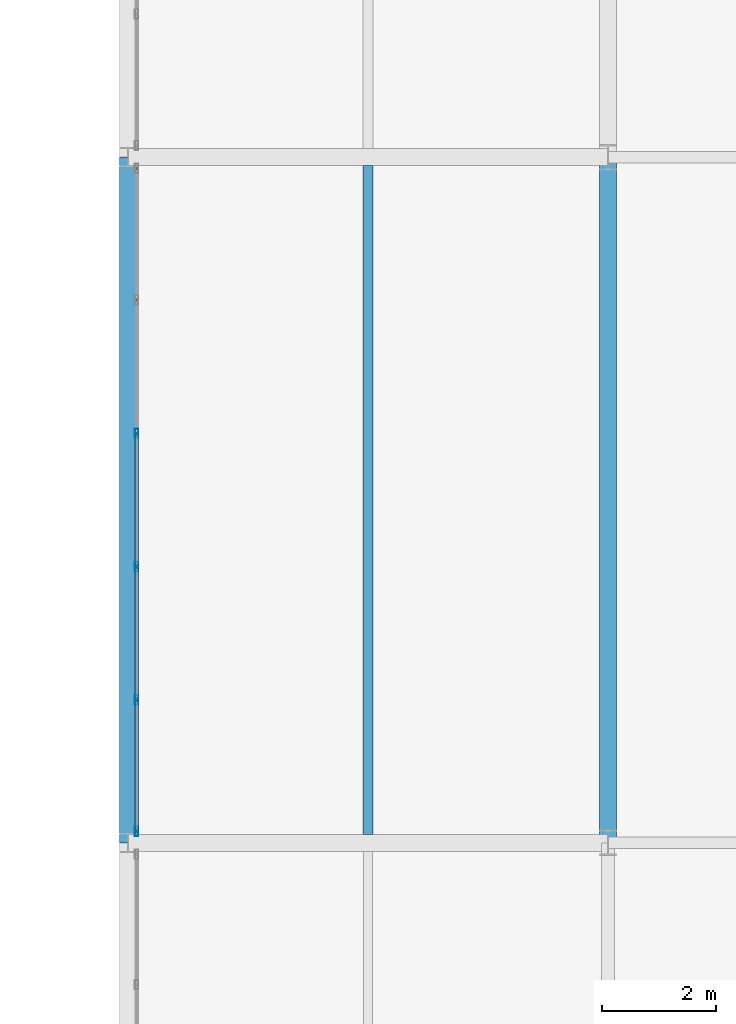
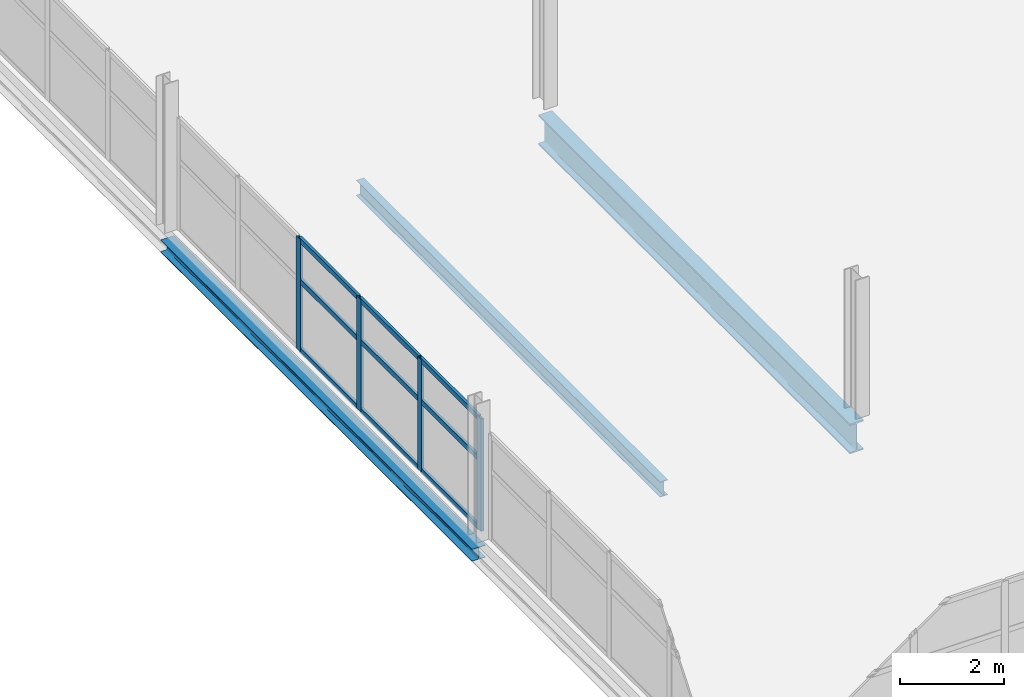
# One storey, part 27 of 103: 13 members, 3 beams, 1 element without a shape of its own.
"""IFC4 building model written with IfcOpenShell, lengths in metres."""

import ifcopenshell
import ifcopenshell.guid

model = None  # the IFC model being written
_history = None  # IfcOwnerHistory: only IFC2X3 demands one
_inside = {}  # id of a spatial element -> (the spatial element, [elements in it])
_under = {}  # id of a project, library or spatial element -> (it, [spatial elements below it])
_declared = {}  # id of a project -> (the project, [libraries it declares])
_typed = {}  # id of a type object -> (the type object, [elements of that type])
_made_of = {}  # id of a material, layer set ... -> (it, [elements and type objects made of it])


def new_model(schema):
    """Start an empty IFC model of exactly this schema.

    Asked for "IFC4X3", IfcOpenShell would pick the latest addendum, in which some entities
    have other attributes; the version numbers below select the first issue.
    IFC2X3 requires an IfcOwnerHistory on every rooted entity: one is made here for all.
    """
    global model, _history
    if schema == "IFC4X3":
        model = ifcopenshell.file(schema_version=(4, 3, 0, 0))
    else:
        model = ifcopenshell.file(schema=schema)
    _inside.clear()
    _under.clear()
    _declared.clear()
    _typed.clear()
    _made_of.clear()
    _history = None
    if model.schema == "IFC2X3":
        org = make("IfcOrganization", Name="unknown")
        user = make(
            "IfcPersonAndOrganization",
            ThePerson=make("IfcPerson", FamilyName="unknown"),
            TheOrganization=org,
        )
        app = make(
            "IfcApplication",
            ApplicationDeveloper=org,
            Version="unknown",
            ApplicationFullName="unknown",
            ApplicationIdentifier="unknown",
        )
        _history = make(
            "IfcOwnerHistory",
            OwningUser=user,
            OwningApplication=app,
            ChangeAction="ADDED",
            CreationDate=0,
        )
    return model


def make(cls, **values):
    """One entity of the class cls with the attributes given. An attribute that is None is left unset."""
    return model.create_entity(
        cls, **{name: value for name, value in values.items() if value is not None}
    )


def rooted(cls, **values):
    """An entity with a GlobalId (a new one), such as an element, a storey or a relation."""
    return make(cls, GlobalId=ifcopenshell.guid.new(), OwnerHistory=_history, **values)


def si_unit(unit_type, name, prefix=None):
    """IfcSIUnit, for example si_unit("LENGTHUNIT", "METRE", prefix="MILLI")."""
    return make("IfcSIUnit", UnitType=unit_type, Prefix=prefix, Name=name)


def assignment(units):
    """IfcUnitAssignment: the units of a project."""
    return None if units is None else make("IfcUnitAssignment", Units=units)


def point(xyz):
    """IfcCartesianPoint."""
    return None if xyz is None else make("IfcCartesianPoint", Coordinates=xyz)


def direction(xyz):
    """IfcDirection."""
    return None if xyz is None else make("IfcDirection", DirectionRatios=xyz)


def frame(location, z_axis=None, x_axis=None):
    """IfcAxis2Placement3D, a coordinate frame: its origin and axes. An axis left out is left unset."""
    return make(
        "IfcAxis2Placement3D",
        Location=point(location),
        Axis=direction(z_axis),
        RefDirection=direction(x_axis),
    )


def frame_2d(location, x_axis=None):
    """IfcAxis2Placement2D, a coordinate frame in the plane: its origin and x axis."""
    return make(
        "IfcAxis2Placement2D", Location=point(location), RefDirection=direction(x_axis)
    )


def origin():
    """The frame at (0, 0, 0) with its axes left unset."""
    return frame((0.0, 0.0, 0.0))


def origin_2d():
    """The frame at (0, 0) in the plane with its x axis left unset."""
    return frame_2d((0.0, 0.0))


def place(relative_to, where):
    """IfcLocalPlacement: puts the frame where relative to a parent placement (None: the world)."""
    return make(
        "IfcLocalPlacement", PlacementRelTo=relative_to, RelativePlacement=where
    )


def context(
    kind, dimensions, precision=None, world=None, true_north=None, identifier=None
):
    """IfcGeometricRepresentationContext, for example the 3D "Model" context."""
    return make(
        "IfcGeometricRepresentationContext",
        ContextIdentifier=identifier,
        ContextType=kind,
        CoordinateSpaceDimension=dimensions,
        Precision=precision,
        WorldCoordinateSystem=world,
        TrueNorth=true_north,
    )


def subcontext(parent, identifier, kind, view, scale=None):
    """IfcGeometricRepresentationSubContext, for example "Body" below "Model"."""
    return make(
        "IfcGeometricRepresentationSubContext",
        ContextIdentifier=identifier,
        ContextType=kind,
        ParentContext=parent,
        TargetScale=scale,
        TargetView=view,
    )


def project(units=None, contexts=None):
    """IfcProject with its units and contexts."""
    return rooted(
        "IfcProject",
        Name="project",
        RepresentationContexts=contexts,
        UnitsInContext=assignment(units),
    )


def spatial(cls, under=None, at=None, **own):
    """A site, building, storey or space (cls), placed at a placement, below another one or the project."""
    s = rooted(cls, ObjectPlacement=at, **own)
    if under is not None:
        _under.setdefault(under.id(), (under, []))[1].append(s)
    return s


def profile(cls, at=None, kind="AREA", **sizes):
    """A parametric profile (cls). Its sizes go by their IFC names, for example OverallWidth=200.0."""
    return make(cls, ProfileType=kind, Position=at, **sizes)


def hollow_rectangle(**sizes):
    """IfcRectangleHollowProfileDef."""
    return profile("IfcRectangleHollowProfileDef", **sizes)


def i_section(**sizes):
    """IfcIShapeProfileDef."""
    return profile("IfcIShapeProfileDef", **sizes)


def extrude(swept, where, along, depth):
    """IfcExtrudedAreaSolid: the profile swept, set in the frame where, extruded along a direction by depth."""
    return make(
        "IfcExtrudedAreaSolid",
        SweptArea=swept,
        Position=where,
        ExtrudedDirection=direction(along),
        Depth=depth,
    )


def shape(context_of_items, identifier, shape_type, items):
    """IfcShapeRepresentation: the items that make up one representation, for example the "Body"."""
    return make(
        "IfcShapeRepresentation",
        ContextOfItems=context_of_items,
        RepresentationIdentifier=identifier,
        RepresentationType=shape_type,
        Items=items,
    )


def material(Name=None, Category=None):
    """IfcMaterial."""
    return make("IfcMaterial", Name=Name, Category=Category)


def material_profile(
    of_material, cross_section, Name=None, Category=None, Priority=None
):
    """IfcMaterialProfile: a cross section and its material."""
    return make(
        "IfcMaterialProfile",
        Name=Name,
        Material=of_material,
        Profile=cross_section,
        Priority=Priority,
        Category=Category,
    )


def profile_set(profiles, Name=None, composite=None):
    """IfcMaterialProfileSet."""
    return make(
        "IfcMaterialProfileSet",
        Name=Name,
        MaterialProfiles=profiles,
        CompositeProfile=composite,
    )


def made_of(thing, what):
    """Note that an element or type object is made of a material, layer set ...; save() writes the relation."""
    if what is not None:
        _made_of.setdefault(what.id(), (what, []))[1].append(thing)
    return thing


def type_object(cls, material=None, **own):
    """A type object (cls), such as IfcWallType, which elements share."""
    return made_of(rooted(cls, **own), material)


def element(
    cls,
    number,
    at=None,
    inside=None,
    cuts=None,
    type_object=None,
    material=None,
    context=None,
    identifier="Body",
    shape_type=None,
    held_by="IfcProductDefinitionShape",
    body=None,
    shapes=None,
    **own,
):
    """One element of the class cls, such as IfcWall. Its Tag is "e" and its number.

    at: its placement. inside: the storey or other place that contains it. cuts: it is an
    opening in that element (IfcRelVoidsElement). A single representation is given by context,
    identifier, shape_type and body (its items); several are given by shapes. held_by: the class
    of the entity that holds the representations. save() writes the other relations.
    """
    e = rooted(cls, Tag="e%d" % number, ObjectPlacement=at, **own)
    if body is not None:
        shapes = [shape(context, identifier, shape_type, body)]
    if shapes is not None:
        e.Representation = make(held_by, Representations=shapes)
    if inside is not None:
        _inside.setdefault(inside.id(), (inside, []))[1].append(e)
    if cuts is not None:
        rooted(
            "IfcRelVoidsElement", RelatingBuildingElement=cuts, RelatedOpeningElement=e
        )
    if type_object is not None:
        _typed.setdefault(type_object.id(), (type_object, []))[1].append(e)
    return made_of(e, material)


def aggregate(whole, parts):
    """IfcRelAggregates: a whole, such as a stair, and the parts it consists of."""
    return rooted("IfcRelAggregates", RelatingObject=whole, RelatedObjects=parts)


def save(model, path):
    """Write the relations noted so far, then the file.

    IfcRelAggregates (storeys below a building ...), IfcRelContainedInSpatialStructure (elements
    in a storey), IfcRelDefinesByType, IfcRelAssociatesMaterial and IfcRelDeclares: one each for
    every whole, place, type object, material and project.
    """
    for whole, parts in _under.values():
        aggregate(whole, parts)
    for where, things in _inside.values():
        rooted(
            "IfcRelContainedInSpatialStructure",
            RelatedElements=things,
            RelatingStructure=where,
        )
    for kind, things in _typed.values():
        rooted("IfcRelDefinesByType", RelatedObjects=things, RelatingType=kind)
    for what, things in _made_of.values():
        rooted("IfcRelAssociatesMaterial", RelatedObjects=things, RelatingMaterial=what)
    for by, libraries in _declared.values():
        rooted("IfcRelDeclares", RelatingContext=by, RelatedDefinitions=libraries)
    model.write(path)


model = new_model("IFC4")

# Units and contexts
model_context = context("Model", 3, precision=1e-05, world=origin(), true_north=direction((0.0, 1.0)))
body_context = subcontext(model_context, "Body", "Model", "MODEL_VIEW")
ifc_project = project(units=[si_unit("LENGTHUNIT", "METRE"), si_unit("AREAUNIT", "SQUARE_METRE"), si_unit("VOLUMEUNIT", "CUBIC_METRE"), si_unit("PLANEANGLEUNIT", "RADIAN"), si_unit("MASSUNIT", "GRAM", prefix="KILO")], contexts=[model_context])

# Site, building, storey
site_placement = place(None, origin())
site = spatial("IfcSite", under=ifc_project, at=site_placement, CompositionType="ELEMENT")
building_placement = place(site_placement, origin())
building = spatial("IfcBuilding", under=site, at=building_placement, Name="Veltarok Museum of Natural Sciences", CompositionType="ELEMENT")
storey_placement = place(building_placement, frame((0.0, 0.0, 21.89990234375)))
storey = spatial("IfcBuildingStorey", under=building, at=storey_placement, Name="L04", CompositionType="ELEMENT", Elevation=21.89990234375)

# Curtain wall, members
ifc_material_1 = material(Name="Low-iron triple insulated glass", Category="glass")
curtain_wall_type = type_object("IfcCurtainWallType", Name="Curtain Wall System CW-V2W-L04-0-1166x264 (CW-V2W L04 1166x264cm)", PredefinedType="NOTDEFINED", material=ifc_material_1)
curtain_wall_placement = place(storey_placement, origin())
curtain_wall = element("IfcCurtainWall", 1, at=curtain_wall_placement, inside=storey, type_object=curtain_wall_type, Name="Curtain Wall CW-V2W-L04-0-1166x264 CW-0148", PredefinedType="NOTDEFINED")
ifc_material_2 = material(Name="Thermally broken anodised aluminium", Category="aluminium")
ifc_material_profile_1 = material_profile(ifc_material_2, hollow_rectangle(XDim=0.06005859375, YDim=0.1201171875, WallThickness=0.0048828125, at=origin_2d()), Name="CW TRANSOM 60x120x5")
ifc_profile_set_1 = profile_set([ifc_material_profile_1], Name="Thermally broken anodised aluminium")
member_type_1 = type_object("IfcMemberType", Name="Curtain Wall Horizontal Transom 60x120x5", PredefinedType="USERDEFINED", material=ifc_profile_set_1)
member_1_placement = place(storey_placement, frame((40.14990234375, 36.22998046875, 0.028076171875), z_axis=(0.0, 1.0, 0.0), x_axis=(-1.0, 0.0, 0.0)))
member_1 = element("IfcMember", 2, at=member_1_placement, type_object=member_type_1, Name="CW-V2W-L04-0-1166x264 transom 1.1", ObjectType="TRANSOM", PredefinedType="USERDEFINED", context=body_context, shape_type="SweptSolid", body=[
    extrude(hollow_rectangle(XDim=0.06005859375, YDim=0.1201171875, WallThickness=0.0048828125, at=origin_2d()), origin(), (0.0, 0.0, 1.0), 2.241943359375),
])
member_2_placement = place(storey_placement, frame((40.14990234375, 36.22998046875, 1.648193359375), z_axis=(0.0, 1.0, 0.0), x_axis=(-1.0, 0.0, 0.0)))
member_2 = element("IfcMember", 3, at=member_2_placement, type_object=member_type_1, Name="CW-V2W-L04-0-1166x264 transom 1.2", ObjectType="TRANSOM", PredefinedType="USERDEFINED", context=body_context, shape_type="SweptSolid", body=[
    extrude(hollow_rectangle(XDim=0.06005859375, YDim=0.1201171875, WallThickness=0.0048828125, at=origin_2d()), origin(), (0.0, 0.0, 1.0), 2.241943359375),
])
member_3_placement = place(storey_placement, frame((40.14990234375, 36.22998046875, 2.610107421875), z_axis=(0.0, 1.0, 0.0), x_axis=(-1.0, 0.0, 0.0)))
member_3 = element("IfcMember", 4, at=member_3_placement, type_object=member_type_1, Name="CW-V2W-L04-0-1166x264 transom 1.3", ObjectType="TRANSOM", PredefinedType="USERDEFINED", context=body_context, shape_type="SweptSolid", body=[
    extrude(hollow_rectangle(XDim=0.06005859375, YDim=0.1201171875, WallThickness=0.0048828125, at=origin_2d()), origin(), (0.0, 0.0, 1.0), 2.241943359375),
])
member_4_placement = place(storey_placement, frame((40.14990234375, 38.531982421875, 0.028076171875), z_axis=(0.0, 1.0, 0.0), x_axis=(-1.0, 0.0, 0.0)))
member_4 = element("IfcMember", 5, at=member_4_placement, type_object=member_type_1, Name="CW-V2W-L04-0-1166x264 transom 2.1", ObjectType="TRANSOM", PredefinedType="USERDEFINED", context=body_context, shape_type="SweptSolid", body=[
    extrude(hollow_rectangle(XDim=0.06005859375, YDim=0.1201171875, WallThickness=0.0048828125, at=origin_2d()), origin(), (0.0, 0.0, 1.0), 2.27197265625),
])
member_5_placement = place(storey_placement, frame((40.14990234375, 38.531982421875, 1.648193359375), z_axis=(0.0, 1.0, 0.0), x_axis=(-1.0, 0.0, 0.0)))
member_5 = element("IfcMember", 6, at=member_5_placement, type_object=member_type_1, Name="CW-V2W-L04-0-1166x264 transom 2.2", ObjectType="TRANSOM", PredefinedType="USERDEFINED", context=body_context, shape_type="SweptSolid", body=[
    extrude(hollow_rectangle(XDim=0.06005859375, YDim=0.1201171875, WallThickness=0.0048828125, at=origin_2d()), origin(), (0.0, 0.0, 1.0), 2.27197265625),
])
member_6_placement = place(storey_placement, frame((40.14990234375, 38.531982421875, 2.610107421875), z_axis=(0.0, 1.0, 0.0), x_axis=(-1.0, 0.0, 0.0)))
member_6 = element("IfcMember", 7, at=member_6_placement, type_object=member_type_1, Name="CW-V2W-L04-0-1166x264 transom 2.3", ObjectType="TRANSOM", PredefinedType="USERDEFINED", context=body_context, shape_type="SweptSolid", body=[
    extrude(hollow_rectangle(XDim=0.06005859375, YDim=0.1201171875, WallThickness=0.0048828125, at=origin_2d()), origin(), (0.0, 0.0, 1.0), 2.27197265625),
])
member_7_placement = place(storey_placement, frame((40.14990234375, 40.864013671875, 0.028076171875), z_axis=(0.0, 1.0, 0.0), x_axis=(-1.0, 0.0, 0.0)))
member_7 = element("IfcMember", 8, at=member_7_placement, type_object=member_type_1, Name="CW-V2W-L04-0-1166x264 transom 3.1", ObjectType="TRANSOM", PredefinedType="USERDEFINED", context=body_context, shape_type="SweptSolid", body=[
    extrude(hollow_rectangle(XDim=0.06005859375, YDim=0.1201171875, WallThickness=0.0048828125, at=origin_2d()), origin(), (0.0, 0.0, 1.0), 2.27197265625),
])
member_8_placement = place(storey_placement, frame((40.14990234375, 40.864013671875, 1.648193359375), z_axis=(0.0, 1.0, 0.0), x_axis=(-1.0, 0.0, 0.0)))
member_8 = element("IfcMember", 9, at=member_8_placement, type_object=member_type_1, Name="CW-V2W-L04-0-1166x264 transom 3.2", ObjectType="TRANSOM", PredefinedType="USERDEFINED", context=body_context, shape_type="SweptSolid", body=[
    extrude(hollow_rectangle(XDim=0.06005859375, YDim=0.1201171875, WallThickness=0.0048828125, at=origin_2d()), origin(), (0.0, 0.0, 1.0), 2.27197265625),
])
member_9_placement = place(storey_placement, frame((40.14990234375, 40.864013671875, 2.610107421875), z_axis=(0.0, 1.0, 0.0), x_axis=(-1.0, 0.0, 0.0)))
member_9 = element("IfcMember", 10, at=member_9_placement, type_object=member_type_1, Name="CW-V2W-L04-0-1166x264 transom 3.3", ObjectType="TRANSOM", PredefinedType="USERDEFINED", context=body_context, shape_type="SweptSolid", body=[
    extrude(hollow_rectangle(XDim=0.06005859375, YDim=0.1201171875, WallThickness=0.0048828125, at=origin_2d()), origin(), (0.0, 0.0, 1.0), 2.27197265625),
])
ifc_material_profile_2 = material_profile(ifc_material_2, hollow_rectangle(XDim=0.06005859375, YDim=0.159912109375, WallThickness=0.0048828125, at=origin_2d()), Name="CW MULLION 60x160x5")
ifc_profile_set_2 = profile_set([ifc_material_profile_2], Name="Thermally broken anodised aluminium")
member_type_2 = type_object("IfcMemberType", Name="Curtain Wall Vertical Mullion 60x160x5", PredefinedType="MULLION", material=ifc_profile_set_2)
member_10_placement = place(storey_placement, frame((40.14990234375, 36.199951171875, -0.001953125), z_axis=(0.0, 0.0, 1.0), x_axis=(-1.0, 0.0, 0.0)))
member_10 = element("IfcMember", 11, at=member_10_placement, type_object=member_type_2, Name="CW-V2W-L04-0-1166x264 mullion 1", PredefinedType="MULLION", context=body_context, shape_type="SweptSolid", body=[
    extrude(hollow_rectangle(XDim=0.06005859375, YDim=0.159912109375, WallThickness=0.0048828125, at=origin_2d()), origin(), (0.0, 0.0, 1.0), 2.64208984375),
])
member_11_placement = place(storey_placement, frame((40.14990234375, 38.501953125, -0.001953125), z_axis=(0.0, 0.0, 1.0), x_axis=(-1.0, 0.0, 0.0)))
member_11 = element("IfcMember", 12, at=member_11_placement, type_object=member_type_2, Name="CW-V2W-L04-0-1166x264 mullion 2", PredefinedType="MULLION", context=body_context, shape_type="SweptSolid", body=[
    extrude(hollow_rectangle(XDim=0.06005859375, YDim=0.159912109375, WallThickness=0.0048828125, at=origin_2d()), origin(), (0.0, 0.0, 1.0), 2.64208984375),
])
member_12_placement = place(storey_placement, frame((40.14990234375, 40.833984375, -0.001953125), z_axis=(0.0, 0.0, 1.0), x_axis=(-1.0, 0.0, 0.0)))
member_12 = element("IfcMember", 13, at=member_12_placement, type_object=member_type_2, Name="CW-V2W-L04-0-1166x264 mullion 3", PredefinedType="MULLION", context=body_context, shape_type="SweptSolid", body=[
    extrude(hollow_rectangle(XDim=0.06005859375, YDim=0.159912109375, WallThickness=0.0048828125, at=origin_2d()), origin(), (0.0, 0.0, 1.0), 2.64208984375),
])
member_13_placement = place(storey_placement, frame((40.14990234375, 43.166015625, -0.001953125), z_axis=(0.0, 0.0, 1.0), x_axis=(-1.0, 0.0, 0.0)))
member_13 = element("IfcMember", 14, at=member_13_placement, type_object=member_type_2, Name="CW-V2W-L04-0-1166x264 mullion 4", PredefinedType="MULLION", context=body_context, shape_type="SweptSolid", body=[
    extrude(hollow_rectangle(XDim=0.06005859375, YDim=0.159912109375, WallThickness=0.0048828125, at=origin_2d()), origin(), (0.0, 0.0, 1.0), 2.64208984375),
])
aggregate(curtain_wall, [member_10, member_11, member_12, member_13, member_1, member_2, member_3, member_4, member_5, member_6, member_7, member_8, member_9])

# Beams
ifc_material_3 = material(Name="Steel S355J2", Category="steel")
ifc_material_profile_3 = material_profile(ifc_material_3, i_section(OverallWidth=0.300048828125, OverallDepth=0.2900390625, WebThickness=0.008544921875, FlangeThickness=0.013916015625, FilletRadius=0.027099609375, at=origin_2d()), Name="HEA 300")
ifc_profile_set_3 = profile_set([ifc_material_profile_3], Name="Steel S355J2")
beam_type_1 = type_object("IfcBeamType", Name="Glazed Hall Edge Spandrel HEA 300", PredefinedType="SPANDREL", material=ifc_profile_set_3)
beam_1_placement = place(storey_placement, frame((40.0, 36.0, -0.39501953125), z_axis=(0.0, 1.0, 0.0), x_axis=(-1.0, 0.0, 0.0)))
element("IfcBeam", 15, at=beam_1_placement, inside=storey, type_object=beam_type_1, Name="Beam BM-SP03 L04 5/E-F", PredefinedType="SPANDREL", context=body_context, shape_type="SweptSolid", body=[
    extrude(i_section(OverallWidth=0.300048828125, OverallDepth=0.2900390625, WebThickness=0.008544921875, FlangeThickness=0.013916015625, FilletRadius=0.027099609375, at=origin_2d()), origin(), (0.0, 0.0, 1.0), 12.0),
])
ifc_material_profile_4 = material_profile(ifc_material_3, i_section(OverallWidth=0.169921875, OverallDepth=0.360107421875, WebThickness=0.008056640625, FlangeThickness=0.0126953125, FilletRadius=0.01806640625, at=origin_2d()), Name="IPE 360")
ifc_profile_set_4 = profile_set([ifc_material_profile_4], Name="Steel S355J2")
beam_type_2 = type_object("IfcBeamType", Name="Long-Bay Composite Joist IPE 360", PredefinedType="JOIST", material=ifc_profile_set_4)
beam_2_placement = place(storey_placement, frame((44.199951171875, 36.14794921875, -0.429931640625), z_axis=(0.0, 1.0, 0.0), x_axis=(-1.0, 0.0, 0.0)))
element("IfcBeam", 16, at=beam_2_placement, inside=storey, type_object=beam_type_2, Name="Secondary Joist BM-J01 L04 5-6/E-F.1", PredefinedType="JOIST", context=body_context, shape_type="SweptSolid", body=[
    extrude(i_section(OverallWidth=0.169921875, OverallDepth=0.360107421875, WebThickness=0.008056640625, FlangeThickness=0.0126953125, FilletRadius=0.01806640625, at=origin_2d()), origin(), (0.0, 0.0, 1.0), 11.7041015625),
])
ifc_material_profile_5 = material_profile(ifc_material_3, i_section(OverallWidth=0.300048828125, OverallDepth=0.699951171875, WebThickness=0.01708984375, FlangeThickness=0.031982421875, FilletRadius=0.027099609375, at=origin_2d()), Name="HEB 700")
ifc_profile_set_5 = profile_set([ifc_material_profile_5], Name="Steel S355J2")
beam_type_3 = type_object("IfcBeamType", Name="Long-Span Hall Girder HEB 700", PredefinedType="BEAM", material=ifc_profile_set_5)
beam_3_placement = place(storey_placement, frame((48.39990234375, 36.0, -0.599853515625), z_axis=(0.0, 1.0, 0.0), x_axis=(-1.0, 0.0, 0.0)))
element("IfcBeam", 17, at=beam_3_placement, inside=storey, type_object=beam_type_3, Name="Beam BM-G01 L04 6/E-F", PredefinedType="BEAM", context=body_context, shape_type="SweptSolid", body=[
    extrude(i_section(OverallWidth=0.300048828125, OverallDepth=0.699951171875, WebThickness=0.01708984375, FlangeThickness=0.031982421875, FilletRadius=0.027099609375, at=origin_2d()), origin(), (0.0, 0.0, 1.0), 12.0),
])

save(model, "model.ifc")
